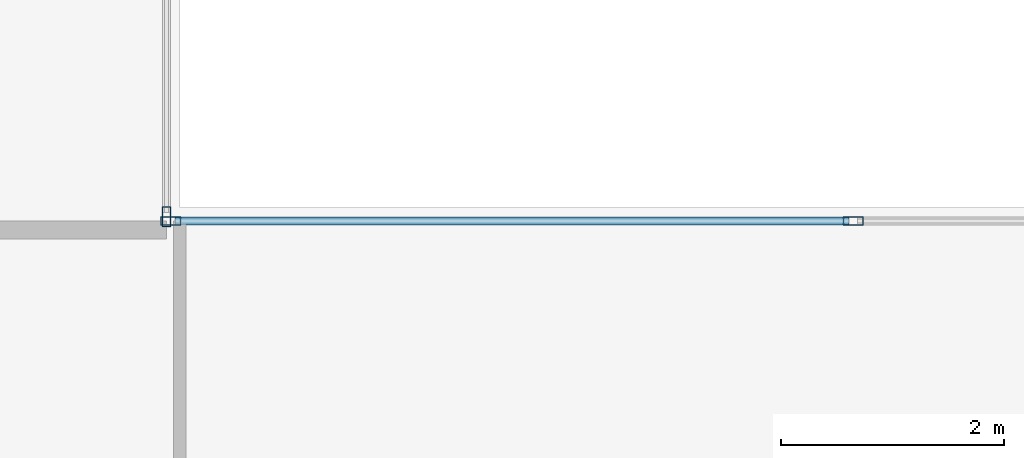
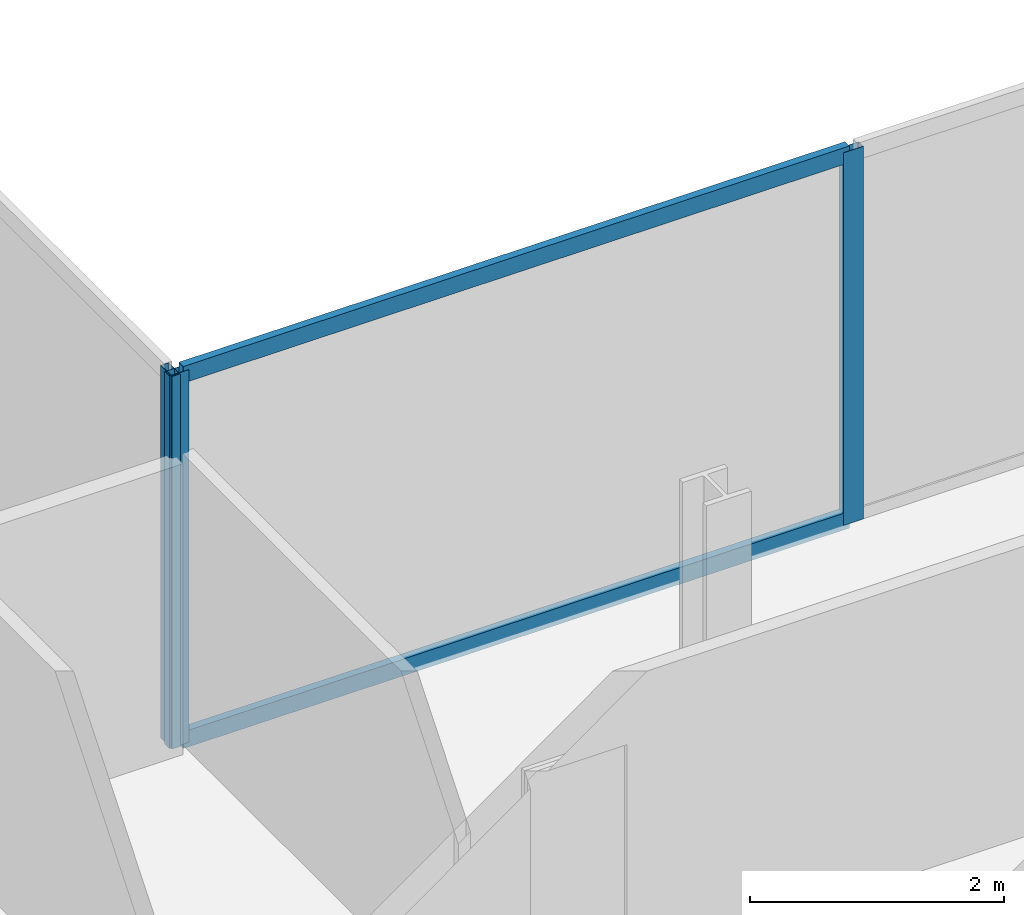
# One storey, part 7 of 24: 5 members, 2 elements without a shape of their own.
"""IFC4 building model written with IfcOpenShell, lengths in metres."""

from ifc_helpers import new_model, si_unit, direction, frame, origin, origin_2d, place, context, subcontext, project, spatial, hollow_rectangle, extrude, material, material_profile, profile_set, type_object, element, aggregate, save


model = new_model("IFC4")

# Units and contexts
model_context = context("Model", 3, precision=1e-05, world=origin(), true_north=direction((0.0, 1.0)))
body_context = subcontext(model_context, "Body", "Model", "MODEL_VIEW")
ifc_project = project(units=[si_unit("LENGTHUNIT", "METRE"), si_unit("AREAUNIT", "SQUARE_METRE"), si_unit("VOLUMEUNIT", "CUBIC_METRE"), si_unit("PLANEANGLEUNIT", "RADIAN"), si_unit("MASSUNIT", "GRAM", prefix="KILO")], contexts=[model_context])

# Site, building, storey
site_placement = place(None, origin())
site = spatial("IfcSite", under=ifc_project, at=site_placement, CompositionType="ELEMENT")
building_placement = place(site_placement, origin())
building = spatial("IfcBuilding", under=site, at=building_placement, Name="Cobrela Telecom Tower", CompositionType="ELEMENT")
storey_placement = place(building_placement, frame((0.0, 0.0, 106.050048828125)))
storey = spatial("IfcBuildingStorey", under=building, at=storey_placement, Name="L26", CompositionType="ELEMENT", Elevation=106.050048828125)

# Curtain wall, member
ifc_material = material(Name="Anodized Bronze Aluminium 6063-T6", Category="aluminium")
curtain_wall_type = type_object("IfcCurtainWallType", Name="CW-SYS-TEL", PredefinedType="USERDEFINED", material=ifc_material)
curtain_wall_1_placement = place(storey_placement, origin())
curtain_wall_1 = element("IfcCurtainWall", 1, at=curtain_wall_1_placement, inside=storey, type_object=curtain_wall_type, Name="L26 Unitised Bronze Curtain Wall 10", ObjectType="UNITISED CURTAIN WALL", PredefinedType="USERDEFINED")
ifc_material_profile_1 = material_profile(ifc_material, hollow_rectangle(XDim=0.074951171875, YDim=0.179931640625, WallThickness=0.00390625, at=origin_2d()), Name="ALU 75x180x4")
ifc_profile_set_1 = profile_set([ifc_material_profile_1], Name="Anodized Bronze Aluminium 6063-T6")
member_type_1 = type_object("IfcMemberType", Name="CW-SYS-TEL-MUL", PredefinedType="MULLION", material=ifc_profile_set_1)
member_1_placement = place(storey_placement, frame((25.8798828125, 25.117431640625, 0.0), z_axis=(0.0, 0.0, 1.0), x_axis=(1.0, 0.0, 0.0)))
member_1 = element("IfcMember", 2, at=member_1_placement, type_object=member_type_1, Name="CW-TEL mullion 3", PredefinedType="MULLION", context=body_context, shape_type="SweptSolid", body=[
    extrude(hollow_rectangle(XDim=0.074951171875, YDim=0.179931640625, WallThickness=0.00390625, at=origin_2d()), origin(), (0.0, 0.0, 1.0), 3.579833984375),
])
aggregate(curtain_wall_1, [member_1])

# Curtain wall, members
curtain_wall_2_placement = place(storey_placement, origin())
curtain_wall_2 = element("IfcCurtainWall", 3, at=curtain_wall_2_placement, inside=storey, type_object=curtain_wall_type, Name="L26 Unitised Bronze Curtain Wall 11", ObjectType="UNITISED CURTAIN WALL", PredefinedType="USERDEFINED")
member_2_placement = place(storey_placement, frame((25.91748046875, 25.080078125, 0.0), z_axis=(0.0, 0.0, 1.0), x_axis=(0.0, 1.0, 0.0)))
member_2 = element("IfcMember", 4, at=member_2_placement, type_object=member_type_1, Name="CW-TEL mullion 1", PredefinedType="MULLION", context=body_context, shape_type="SweptSolid", body=[
    extrude(hollow_rectangle(XDim=0.074951171875, YDim=0.179931640625, WallThickness=0.00390625, at=origin_2d()), origin(), (0.0, 0.0, 1.0), 3.579833984375),
])
member_3_placement = place(storey_placement, frame((32.043212890625, 25.080078125, 0.0), z_axis=(0.0, 0.0, 1.0), x_axis=(0.0, 1.0, 0.0)))
member_3 = element("IfcMember", 5, at=member_3_placement, type_object=member_type_1, Name="CW-TEL mullion 2", PredefinedType="MULLION", context=body_context, shape_type="SweptSolid", body=[
    extrude(hollow_rectangle(XDim=0.074951171875, YDim=0.179931640625, WallThickness=0.00390625, at=origin_2d()), origin(), (0.0, 0.0, 1.0), 3.579833984375),
])
ifc_material_profile_2 = material_profile(ifc_material, hollow_rectangle(XDim=0.070068359375, YDim=0.159912109375, WallThickness=0.00390625, at=origin_2d()), Name="ALU 70x160x4")
ifc_profile_set_2 = profile_set([ifc_material_profile_2], Name="Anodized Bronze Aluminium 6063-T6")
member_type_2 = type_object("IfcMemberType", Name="CW-SYS-TEL-TRN", PredefinedType="USERDEFINED", material=ifc_profile_set_2)
member_4_placement = place(storey_placement, frame((25.955078125, 25.080078125, 0.034912109375), z_axis=(1.0, 0.0, 0.0), x_axis=(0.0, 1.0, 0.0)))
member_4 = element("IfcMember", 6, at=member_4_placement, type_object=member_type_2, Name="CW-TEL transom 1.1", ObjectType="TRANSOM", PredefinedType="USERDEFINED", context=body_context, shape_type="SweptSolid", body=[
    extrude(hollow_rectangle(XDim=0.070068359375, YDim=0.159912109375, WallThickness=0.00390625, at=origin_2d()), origin(), (0.0, 0.0, 1.0), 6.05078125),
])
member_5_placement = place(storey_placement, frame((25.955078125, 25.080078125, 3.544921875), z_axis=(1.0, 0.0, 0.0), x_axis=(0.0, 1.0, 0.0)))
member_5 = element("IfcMember", 7, at=member_5_placement, type_object=member_type_2, Name="CW-TEL transom 1.2", ObjectType="TRANSOM", PredefinedType="USERDEFINED", context=body_context, shape_type="SweptSolid", body=[
    extrude(hollow_rectangle(XDim=0.070068359375, YDim=0.159912109375, WallThickness=0.00390625, at=origin_2d()), origin(), (0.0, 0.0, 1.0), 6.05078125),
])
aggregate(curtain_wall_2, [member_2, member_3, member_4, member_5])

save(model, "model.ifc")
